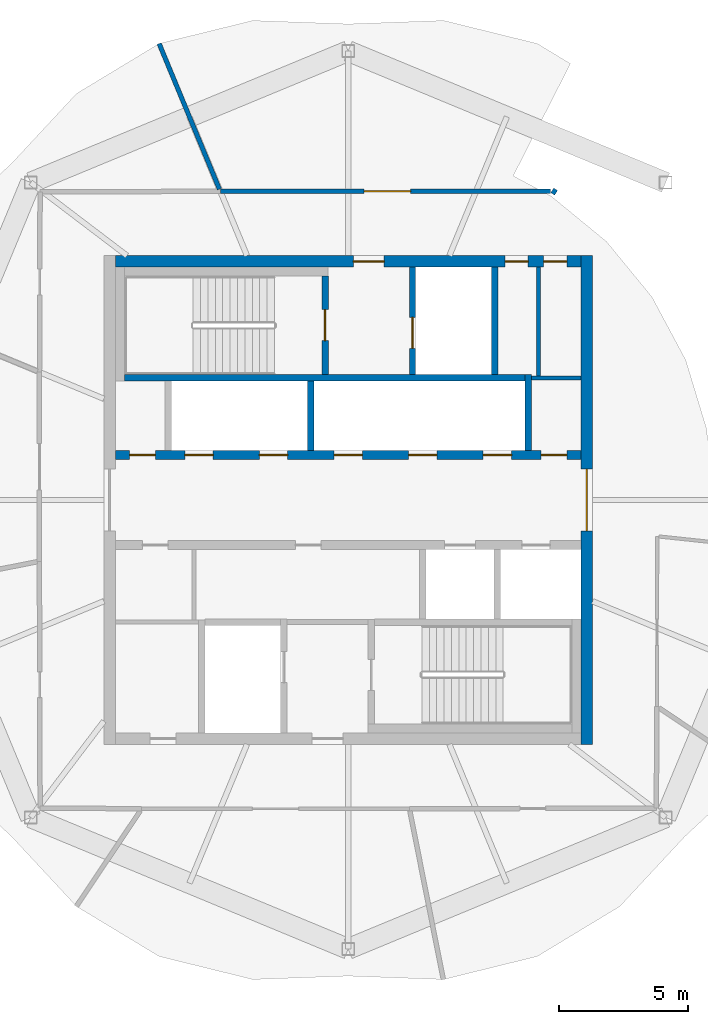
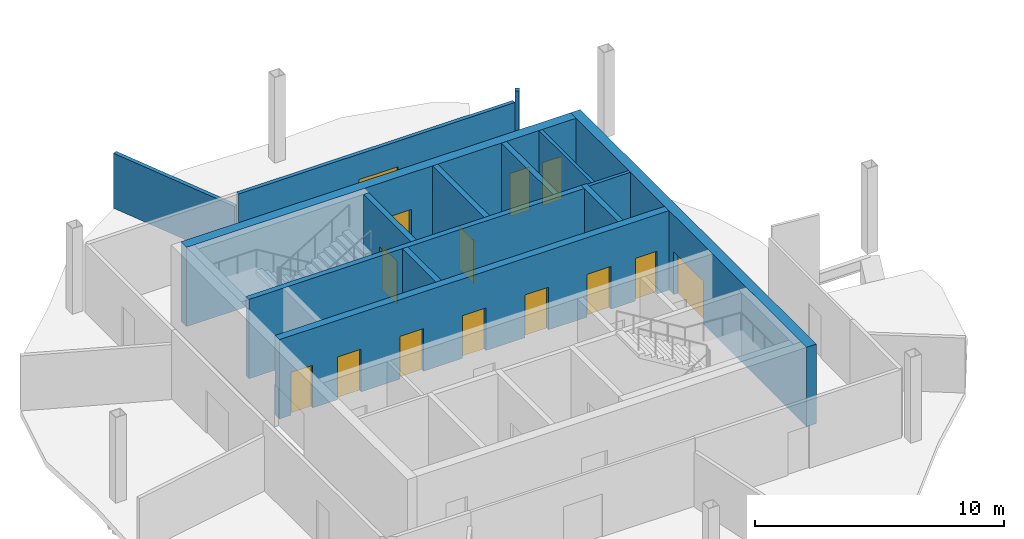
# One storey, part 6 of 11: 14 doors, 14 walls, 14 openings.
"""IFC4 building model written with IfcOpenShell, lengths in metres."""

from ifc_helpers import new_model, si_unit, direction, frame, frame_2d, origin, place, context, subcontext, project, spatial, rectangle, extrude, material, layer, layer_set, type_object, element, fill, save


model = new_model("IFC4")

# Units and contexts
model_context = context("Model", 3, precision=1e-05, world=origin(), true_north=direction((0.0, 1.0)))
body_context = subcontext(model_context, "Body", "Model", "MODEL_VIEW")
ifc_project = project(units=[si_unit("LENGTHUNIT", "METRE"), si_unit("AREAUNIT", "SQUARE_METRE"), si_unit("VOLUMEUNIT", "CUBIC_METRE"), si_unit("PLANEANGLEUNIT", "RADIAN"), si_unit("MASSUNIT", "GRAM", prefix="KILO")], contexts=[model_context])

# Site, building, storey
site_placement = place(None, origin())
site = spatial("IfcSite", under=ifc_project, at=site_placement, CompositionType="ELEMENT")
building_placement = place(site_placement, origin())
building = spatial("IfcBuilding", under=site, at=building_placement, Name="Ogive Gate Towers", CompositionType="ELEMENT")
storey_placement = place(building_placement, frame((0.0, 0.0, 281.39990234375)))
storey = spatial("IfcBuildingStorey", under=building, at=storey_placement, Name="L66", CompositionType="ELEMENT", Elevation=281.39990234375)

# Walls
ifc_material_1 = material(Name="Gypsum board acoustic partition")
ifc_layer_1 = layer(ifc_material_1, 0.175048828125)
ifc_layer_set_1 = layer_set([ifc_layer_1], Name="Acoustic partition 175")
wall_type_1 = type_object("IfcWallType", Name="Acoustic partition 175", PredefinedType="PARTITIONING", material=ifc_layer_set_1)
wall_1_placement = place(storey_placement, frame((-28.049560546875, 11.898681640625, 0.0), z_axis=(0.0, 0.0, 1.0), x_axis=(0.542178111101, 0.840263587122, 0.0)))
element("IfcWall", 1, at=wall_1_placement, inside=storey, type_object=wall_type_1, Name="Partition T1-L66-001", PredefinedType="PARTITIONING", context=body_context, shape_type="SweptSolid", body=[
    extrude(rectangle(XDim=0.217041015625, YDim=0.175048828125, at=frame_2d((0.1083984375, 0.0))), origin(), (0.0, 0.0, 1.0), 3.900146484375),
])
wall_2_placement = place(storey_placement, frame((-43.351318359375, 17.747802734375, 0.0), z_axis=(0.0, 0.0, 1.0), x_axis=(0.382683524544, -0.923879494329, 0.0)))
element("IfcWall", 2, at=wall_2_placement, inside=storey, type_object=wall_type_1, Name="Partition T1-L66-002", PredefinedType="PARTITIONING", context=body_context, shape_type="SweptSolid", body=[
    extrude(rectangle(XDim=6.131591796875, YDim=0.175048828125, at=frame_2d((3.06591796875, 0.0))), origin(), (0.0, 0.0, 1.0), 2.7001953125),
])

# Wall, opening, door
wall_3_placement = place(storey_placement, frame((-40.971435546875, 12.002197265625, 0.0), z_axis=(0.0, 0.0, 1.0), x_axis=(0.999999886992, 0.000475411653, 0.0)))
wall_3 = element("IfcWall", 3, at=wall_3_placement, inside=storey, type_object=wall_type_1, Name="Partition T1-L66-018", PredefinedType="PARTITIONING", context=body_context, shape_type="SweptSolid", body=[
    extrude(rectangle(XDim=12.83837890625, YDim=0.175048828125, at=frame_2d((6.419189453125, 0.0))), origin(), (0.0, 0.0, 1.0), 3.35009765625),
])
opening_1_placement = place(wall_3_placement, frame((5.595947265625, 0.0, 0.0)))
opening_1 = element("IfcOpeningElement", 4, at=opening_1_placement, cuts=wall_3, Name="Opening T1-L66-D07", PredefinedType="OPENING", context=body_context, shape_type="SweptSolid", body=[
    extrude(rectangle(XDim=1.800048828125, YDim=2.10009765625, at=frame_2d((0.89990234375, 1.050048828125))), frame((0.0, 0.09765625, 0.0), z_axis=(0.0, -1.0, 0.0), x_axis=(1.0, 0.0, 0.0)), (0.0, 0.0, 1.0), 0.195068359375),
])
ifc_material_2 = material(Name="Timber door", Category="wood")
door_type_1 = type_object("IfcDoorType", Name="Door pair 1800", OperationType="NOTDEFINED", PredefinedType="DOOR", material=ifc_material_2)
door_1_placement = place(opening_1_placement, origin())
door_1 = element("IfcDoor", 5, at=door_1_placement, inside=storey, type_object=door_type_1, Name="Door T1-L66-D07", OperationType="DOUBLE_DOOR_DOUBLE_SWING", OverallHeight=2.10009765625, OverallWidth=1.800048828125, PredefinedType="DOOR", context=body_context, shape_type="SweptSolid", body=[
    extrude(rectangle(XDim=1.800048828125, YDim=2.10009765625, at=frame_2d((0.89990234375, 1.050048828125))), frame((0.0, 0.02490234375, 0.0), z_axis=(0.0, -1.0, 0.0), x_axis=(1.0, 0.0, 0.0)), (0.0, 0.0, 1.0), 0.050048828125),
])
fill(opening_1, door_1)

# Wall, openings, doors
ifc_material_3 = material(Name="Concrete C60/75", Category="concrete")
ifc_layer_2 = layer(ifc_material_3, 0.449951171875)
ifc_layer_set_2 = layer_set([ifc_layer_2], Name="Core wall 450 mm")
wall_type_2 = type_object("IfcWallType", Name="Core wall 450 mm", PredefinedType="SHEAR", material=ifc_layer_set_2)
wall_4_placement = place(storey_placement, frame((-45.050048828125, 9.27490234375, 0.0), z_axis=(0.0, 0.0, 1.0), x_axis=(1.0, 0.0, 0.0)))
wall_4 = element("IfcWall", 6, at=wall_4_placement, inside=storey, type_object=wall_type_2, Name="T1 L66 Core wall 450 mm", PredefinedType="SHEAR", context=body_context, shape_type="SweptSolid", body=[
    extrude(rectangle(XDim=18.10009765625, YDim=0.449951171875, at=frame_2d((9.050048828125, 0.0))), origin(), (0.0, 0.0, 1.0), 3.900146484375),
])
opening_2_placement = place(wall_4_placement, frame((9.25, 0.0, 0.0)))
opening_2 = element("IfcOpeningElement", 7, at=opening_2_placement, cuts=wall_4, Name="Opening KD-T1-L66-18", PredefinedType="OPENING", context=body_context, shape_type="SweptSolid", body=[
    extrude(rectangle(XDim=1.199951171875, YDim=2.10009765625, at=frame_2d((0.60009765625, 1.050048828125))), frame((0.0, 0.23486328125, 0.0), z_axis=(0.0, -1.0, 0.0), x_axis=(1.0, 0.0, 0.0)), (0.0, 0.0, 1.0), 0.469970703125),
])
opening_3_placement = place(wall_4_placement, frame((15.14990234375, 0.0, 0.0)))
opening_3 = element("IfcOpeningElement", 8, at=opening_3_placement, cuts=wall_4, Name="Opening KD-T1-L66-20", PredefinedType="OPENING", context=body_context, shape_type="SweptSolid", body=[
    extrude(rectangle(XDim=0.89990234375, YDim=2.10009765625, at=frame_2d((0.449951171875, 1.050048828125))), frame((0.0, 0.23486328125, 0.0), z_axis=(0.0, -1.0, 0.0), x_axis=(1.0, 0.0, 0.0)), (0.0, 0.0, 1.0), 0.469970703125),
])
opening_4_placement = place(wall_4_placement, frame((16.64990234375, 0.0, 0.0)))
opening_4 = element("IfcOpeningElement", 9, at=opening_4_placement, cuts=wall_4, Name="Opening KD-T1-L66-21", PredefinedType="OPENING", context=body_context, shape_type="SweptSolid", body=[
    extrude(rectangle(XDim=0.89990234375, YDim=2.10009765625, at=frame_2d((0.449951171875, 1.050048828125))), frame((0.0, 0.23486328125, 0.0), z_axis=(0.0, -1.0, 0.0), x_axis=(1.0, 0.0, 0.0)), (0.0, 0.0, 1.0), 0.469970703125),
])
door_type_2 = type_object("IfcDoorType", Name="Core WC door 900 x 2100", OperationType="NOTDEFINED", PredefinedType="DOOR", material=ifc_material_2)
door_2_placement = place(opening_3_placement, origin())
door_2 = element("IfcDoor", 10, at=door_2_placement, inside=storey, type_object=door_type_2, Name="T1 L66 Core door", OperationType="SINGLE_SWING_LEFT", OverallHeight=2.10009765625, OverallWidth=0.89990234375, PredefinedType="DOOR", context=body_context, shape_type="SweptSolid", body=[
    extrude(rectangle(XDim=0.89990234375, YDim=2.10009765625, at=frame_2d((0.449951171875, 1.050048828125))), frame((0.0, 0.02490234375, 0.0), z_axis=(0.0, -1.0, 0.0), x_axis=(1.0, 0.0, 0.0)), (0.0, 0.0, 1.0), 0.050048828125),
])
fill(opening_3, door_2)
door_3_placement = place(opening_4_placement, origin())
door_3 = element("IfcDoor", 11, at=door_3_placement, inside=storey, type_object=door_type_2, Name="T1 L66 Core door", OperationType="SINGLE_SWING_RIGHT", OverallHeight=2.10009765625, OverallWidth=0.89990234375, PredefinedType="DOOR", context=body_context, shape_type="SweptSolid", body=[
    extrude(rectangle(XDim=0.89990234375, YDim=2.10009765625, at=frame_2d((0.449951171875, 1.050048828125))), frame((0.0, 0.02490234375, 0.0), z_axis=(0.0, -1.0, 0.0), x_axis=(1.0, 0.0, 0.0)), (0.0, 0.0, 1.0), 0.050048828125),
])
fill(opening_4, door_3)
ifc_material_4 = material(Name="Steel fire door", Category="steel")
door_type_3 = type_object("IfcDoorType", Name="Core door FD60S 1200 x 2100", OperationType="NOTDEFINED", PredefinedType="DOOR", material=ifc_material_4)
door_4_placement = place(opening_2_placement, origin())
door_4 = element("IfcDoor", 12, at=door_4_placement, inside=storey, type_object=door_type_3, Name="T1 L66 Fire-fighting lobby door", OperationType="SINGLE_SWING_LEFT", OverallHeight=2.10009765625, OverallWidth=1.199951171875, PredefinedType="DOOR", context=body_context, shape_type="SweptSolid", body=[
    extrude(rectangle(XDim=1.199951171875, YDim=2.10009765625, at=frame_2d((0.60009765625, 1.050048828125))), frame((0.0, 0.02490234375, 0.0), z_axis=(0.0, -1.0, 0.0), x_axis=(1.0, 0.0, 0.0)), (0.0, 0.0, 1.0), 0.050048828125),
])
fill(opening_2, door_4)

# Wall, opening, door
wall_5_placement = place(storey_placement, frame((-26.72509765625, -9.5, 0.0), z_axis=(0.0, 0.0, 1.0), x_axis=(0.0, 1.0, 0.0)))
wall_5 = element("IfcWall", 13, at=wall_5_placement, inside=storey, type_object=wall_type_2, Name="T1 L66 Core wall 450 mm", PredefinedType="SHEAR", context=body_context, shape_type="SweptSolid", body=[
    extrude(rectangle(XDim=19.0, YDim=0.449951171875, at=frame_2d((9.5, 0.0))), origin(), (0.0, 0.0, 1.0), 3.900146484375),
])
opening_5_placement = place(wall_5_placement, frame((8.300048828125, 0.0, 0.0)))
opening_5 = element("IfcOpeningElement", 14, at=opening_5_placement, cuts=wall_5, Name="Opening KD-T1-L66-02", PredefinedType="OPENING", context=body_context, shape_type="SweptSolid", body=[
    extrude(rectangle(XDim=2.39990234375, YDim=2.10009765625, at=frame_2d((1.199951171875, 1.050048828125))), frame((0.0, 0.23486328125, 0.0), z_axis=(0.0, -1.0, 0.0), x_axis=(1.0, 0.0, 0.0)), (0.0, 0.0, 1.0), 0.469970703125),
])
door_type_4 = type_object("IfcDoorType", Name="Core double door FD60S 2400 x 2100", OperationType="DOUBLE_DOOR_SINGLE_SWING", PredefinedType="DOOR", material=ifc_material_4)
door_5_placement = place(opening_5_placement, origin())
door_5 = element("IfcDoor", 15, at=door_5_placement, inside=storey, type_object=door_type_4, Name="T1 L66 Core door double", OperationType="DOUBLE_DOOR_SINGLE_SWING", OverallHeight=2.10009765625, OverallWidth=2.39990234375, PredefinedType="DOOR", context=body_context, shape_type="SweptSolid", body=[
    extrude(rectangle(XDim=2.39990234375, YDim=2.10009765625, at=frame_2d((1.199951171875, 1.050048828125))), frame((0.0, 0.02490234375, 0.0), z_axis=(0.0, -1.0, 0.0), x_axis=(1.0, 0.0, 0.0)), (0.0, 0.0, 1.0), 0.050048828125),
])
fill(opening_5, door_5)

# Walls
ifc_material_5 = material(Name="Gypsum board partition")
ifc_layer_3 = layer(ifc_material_5, 0.14990234375)
ifc_layer_set_3 = layer_set([ifc_layer_3], Name="Room partition 150 mm")
wall_type_3 = type_object("IfcWallType", Name="Room partition 150 mm", PredefinedType="PARTITIONING", material=ifc_layer_set_3)
wall_6_placement = place(storey_placement, frame((-28.875, 4.75, 0.0), z_axis=(0.0, 0.0, 1.0), x_axis=(1.0, 0.0, 0.0)))
element("IfcWall", 16, at=wall_6_placement, inside=storey, type_object=wall_type_3, Name="T1 L66 Room partition 150 mm", PredefinedType="PARTITIONING", context=body_context, shape_type="SweptSolid", body=[
    extrude(rectangle(XDim=1.925048828125, YDim=0.14990234375, at=frame_2d((0.96240234375, 0.0))), origin(), (0.0, 0.0, 1.0), 3.900146484375),
])
wall_7_placement = place(storey_placement, frame((-28.60009765625, 4.824951171875, 0.0), z_axis=(0.0, 0.0, 1.0), x_axis=(0.0, 1.0, 0.0)))
element("IfcWall", 17, at=wall_7_placement, inside=storey, type_object=wall_type_3, Name="T1 L66 Room partition 150 mm", PredefinedType="PARTITIONING", context=body_context, shape_type="SweptSolid", body=[
    extrude(rectangle(XDim=4.22509765625, YDim=0.14990234375, at=frame_2d((2.112548828125, 0.0))), origin(), (0.0, 0.0, 1.0), 3.900146484375),
])
ifc_layer_4 = layer(ifc_material_3, 0.25)
ifc_layer_set_4 = layer_set([ifc_layer_4], Name="Shaft wall 250 mm")
wall_type_4 = type_object("IfcWallType", Name="Shaft wall 250 mm", PredefinedType="SHEAR", material=ifc_layer_set_4)
wall_8_placement = place(storey_placement, frame((-44.699951171875, 4.75, 0.0), z_axis=(0.0, 0.0, 1.0), x_axis=(1.0, 0.0, 0.0)))
element("IfcWall", 18, at=wall_8_placement, inside=storey, type_object=wall_type_4, Name="T1 L66 Shaft wall 250 mm", PredefinedType="SHEAR", context=body_context, shape_type="SweptSolid", body=[
    extrude(rectangle(XDim=15.574951171875, YDim=0.25, at=frame_2d((7.78759765625, 0.0))), origin(), (0.0, 0.0, 1.0), 3.900146484375),
])
wall_9_placement = place(storey_placement, frame((-37.449951171875, 1.925048828125, 0.0), z_axis=(0.0, 0.0, 1.0), x_axis=(0.0, 1.0, 0.0)))
element("IfcWall", 19, at=wall_9_placement, inside=storey, type_object=wall_type_4, Name="T1 L66 Shaft wall 250 mm", PredefinedType="SHEAR", context=body_context, shape_type="SweptSolid", body=[
    extrude(rectangle(XDim=2.699951171875, YDim=0.25, at=frame_2d((1.35009765625, 0.0))), origin(), (0.0, 0.0, 1.0), 3.900146484375),
])

# Wall, opening, door
wall_10_placement = place(storey_placement, frame((-36.89990234375, 4.875, 0.0), z_axis=(0.0, 0.0, 1.0), x_axis=(0.0, 1.0, 0.0)))
wall_10 = element("IfcWall", 20, at=wall_10_placement, inside=storey, type_object=wall_type_4, Name="T1 L66 Shaft wall 250 mm", PredefinedType="SHEAR", context=body_context, shape_type="SweptSolid", body=[
    extrude(rectangle(XDim=3.824951171875, YDim=0.25, at=frame_2d((1.91259765625, 0.0))), origin(), (0.0, 0.0, 1.0), 3.900146484375),
])
opening_6_placement = place(wall_10_placement, frame((1.324951171875, 0.0, 0.0)))
opening_6 = element("IfcOpeningElement", 21, at=opening_6_placement, cuts=wall_10, Name="Opening KD-T1-L66-16", PredefinedType="OPENING", context=body_context, shape_type="SweptSolid", body=[
    extrude(rectangle(XDim=1.199951171875, YDim=2.10009765625, at=frame_2d((0.60009765625, 1.050048828125))), frame((0.0, 0.135009765625, 0.0), z_axis=(0.0, -1.0, 0.0), x_axis=(1.0, 0.0, 0.0)), (0.0, 0.0, 1.0), 0.27001953125),
])
door_6_placement = place(opening_6_placement, origin())
door_6 = element("IfcDoor", 22, at=door_6_placement, inside=storey, type_object=door_type_3, Name="T1 L66 Stair door", OperationType="SINGLE_SWING_LEFT", OverallHeight=2.10009765625, OverallWidth=1.199951171875, PredefinedType="DOOR", context=body_context, shape_type="SweptSolid", body=[
    extrude(rectangle(XDim=1.199951171875, YDim=2.10009765625, at=frame_2d((0.60009765625, 1.050048828125))), frame((0.0, 0.02490234375, 0.0), z_axis=(0.0, -1.0, 0.0), x_axis=(1.0, 0.0, 0.0)), (0.0, 0.0, 1.0), 0.050048828125),
])
fill(opening_6, door_6)

wall_11_placement = place(storey_placement, frame((-33.5, 4.875, 0.0), z_axis=(0.0, 0.0, 1.0), x_axis=(0.0, 1.0, 0.0)))
wall_11 = element("IfcWall", 23, at=wall_11_placement, inside=storey, type_object=wall_type_4, Name="T1 L66 Shaft wall 250 mm", PredefinedType="SHEAR", context=body_context, shape_type="SweptSolid", body=[
    extrude(rectangle(XDim=4.175048828125, YDim=0.25, at=frame_2d((2.08740234375, 0.0))), origin(), (0.0, 0.0, 1.0), 3.900146484375),
])
opening_7_placement = place(wall_11_placement, frame((1.02490234375, 0.0, 0.0)))
opening_7 = element("IfcOpeningElement", 24, at=opening_7_placement, cuts=wall_11, Name="Opening LD-T1-L66-12", PredefinedType="OPENING", context=body_context, shape_type="SweptSolid", body=[
    extrude(rectangle(XDim=1.199951171875, YDim=2.10009765625, at=frame_2d((0.60009765625, 1.050048828125))), frame((0.0, 0.135009765625, 0.0), z_axis=(0.0, -1.0, 0.0), x_axis=(1.0, 0.0, 0.0)), (0.0, 0.0, 1.0), 0.27001953125),
])
ifc_material_6 = material(Name="Stainless steel landing door", Category="steel")
door_type_5 = type_object("IfcDoorType", Name="Landing door 1200 x 2100", OperationType="SLIDING_TO_LEFT", PredefinedType="DOOR", material=ifc_material_6)
door_7_placement = place(opening_7_placement, origin())
door_7 = element("IfcDoor", 25, at=door_7_placement, inside=storey, type_object=door_type_5, Name="T1 L66 Lift landing door FF1", OperationType="SLIDING_TO_LEFT", OverallHeight=2.10009765625, OverallWidth=1.199951171875, PredefinedType="DOOR", context=body_context, shape_type="SweptSolid", body=[
    extrude(rectangle(XDim=1.199951171875, YDim=2.10009765625, at=frame_2d((0.60009765625, 1.050048828125))), frame((0.0, 0.02490234375, 0.0), z_axis=(0.0, -1.0, 0.0), x_axis=(1.0, 0.0, 0.0)), (0.0, 0.0, 1.0), 0.050048828125),
])
fill(opening_7, door_7)

# Walls
wall_12_placement = place(storey_placement, frame((-30.300048828125, 4.875, 0.0), z_axis=(0.0, 0.0, 1.0), x_axis=(0.0, 1.0, 0.0)))
element("IfcWall", 26, at=wall_12_placement, inside=storey, type_object=wall_type_4, Name="T1 L66 Shaft wall 250 mm", PredefinedType="SHEAR", context=body_context, shape_type="SweptSolid", body=[
    extrude(rectangle(XDim=4.175048828125, YDim=0.25, at=frame_2d((2.08740234375, 0.0))), origin(), (0.0, 0.0, 1.0), 3.900146484375),
])
wall_13_placement = place(storey_placement, frame((-29.0, 1.925048828125, 0.0), z_axis=(0.0, 0.0, 1.0), x_axis=(0.0, 1.0, 0.0)))
element("IfcWall", 27, at=wall_13_placement, inside=storey, type_object=wall_type_4, Name="T1 L66 Shaft wall 250 mm", PredefinedType="SHEAR", context=body_context, shape_type="SweptSolid", body=[
    extrude(rectangle(XDim=2.949951171875, YDim=0.25, at=frame_2d((1.47509765625, 0.0))), origin(), (0.0, 0.0, 1.0), 3.900146484375),
])

# Wall, openings, doors
ifc_layer_5 = layer(ifc_material_3, 0.35009765625)
ifc_layer_set_5 = layer_set([ifc_layer_5], Name="Spine wall 350 mm")
wall_type_5 = type_object("IfcWallType", Name="Spine wall 350 mm", PredefinedType="SHEAR", material=ifc_layer_set_5)
wall_14_placement = place(storey_placement, frame((-45.050048828125, 1.75, 0.0), z_axis=(0.0, 0.0, 1.0), x_axis=(1.0, 0.0, 0.0)))
wall_14 = element("IfcWall", 28, at=wall_14_placement, inside=storey, type_object=wall_type_5, Name="T1 L66 Spine wall 350 mm", PredefinedType="SHEAR", context=body_context, shape_type="SweptSolid", body=[
    extrude(rectangle(XDim=18.10009765625, YDim=0.35009765625, at=frame_2d((9.050048828125, 0.0))), origin(), (0.0, 0.0, 1.0), 3.900146484375),
])
opening_8_placement = place(wall_14_placement, frame((0.550048828125, 0.0, 0.0)))
opening_8 = element("IfcOpeningElement", 29, at=opening_8_placement, cuts=wall_14, Name="Opening KD-T1-L66-03", PredefinedType="OPENING", context=body_context, shape_type="SweptSolid", body=[
    extrude(rectangle(XDim=1.0, YDim=2.10009765625, at=frame_2d((0.5, 1.050048828125))), frame((0.0, 0.18505859375, 0.0), z_axis=(0.0, -1.0, 0.0), x_axis=(1.0, 0.0, 0.0)), (0.0, 0.0, 1.0), 0.3701171875),
])
opening_9_placement = place(wall_14_placement, frame((2.699951171875, 0.0, 0.0)))
opening_9 = element("IfcOpeningElement", 30, at=opening_9_placement, cuts=wall_14, Name="Opening LD-T1-L66-04", PredefinedType="OPENING", context=body_context, shape_type="SweptSolid", body=[
    extrude(rectangle(XDim=1.10009765625, YDim=2.10009765625, at=frame_2d((0.550048828125, 1.050048828125))), frame((0.0, 0.18505859375, 0.0), z_axis=(0.0, -1.0, 0.0), x_axis=(1.0, 0.0, 0.0)), (0.0, 0.0, 1.0), 0.3701171875),
])
opening_10_placement = place(wall_14_placement, frame((5.60009765625, 0.0, 0.0)))
opening_10 = element("IfcOpeningElement", 31, at=opening_10_placement, cuts=wall_14, Name="Opening LD-T1-L66-05", PredefinedType="OPENING", context=body_context, shape_type="SweptSolid", body=[
    extrude(rectangle(XDim=1.10009765625, YDim=2.10009765625, at=frame_2d((0.550048828125, 1.050048828125))), frame((0.0, 0.18505859375, 0.0), z_axis=(0.0, -1.0, 0.0), x_axis=(1.0, 0.0, 0.0)), (0.0, 0.0, 1.0), 0.3701171875),
])
opening_11_placement = place(wall_14_placement, frame((8.5, 0.0, 0.0)))
opening_11 = element("IfcOpeningElement", 32, at=opening_11_placement, cuts=wall_14, Name="Opening LD-T1-L66-06", PredefinedType="OPENING", context=body_context, shape_type="SweptSolid", body=[
    extrude(rectangle(XDim=1.10009765625, YDim=2.10009765625, at=frame_2d((0.550048828125, 1.050048828125))), frame((0.0, 0.18505859375, 0.0), z_axis=(0.0, -1.0, 0.0), x_axis=(1.0, 0.0, 0.0)), (0.0, 0.0, 1.0), 0.3701171875),
])
opening_12_placement = place(wall_14_placement, frame((11.39990234375, 0.0, 0.0)))
opening_12 = element("IfcOpeningElement", 33, at=opening_12_placement, cuts=wall_14, Name="Opening LD-T1-L66-07", PredefinedType="OPENING", context=body_context, shape_type="SweptSolid", body=[
    extrude(rectangle(XDim=1.10009765625, YDim=2.10009765625, at=frame_2d((0.550048828125, 1.050048828125))), frame((0.0, 0.18505859375, 0.0), z_axis=(0.0, -1.0, 0.0), x_axis=(1.0, 0.0, 0.0)), (0.0, 0.0, 1.0), 0.3701171875),
])
opening_13_placement = place(wall_14_placement, frame((14.300048828125, 0.0, 0.0)))
opening_13 = element("IfcOpeningElement", 34, at=opening_13_placement, cuts=wall_14, Name="Opening LD-T1-L66-08", PredefinedType="OPENING", context=body_context, shape_type="SweptSolid", body=[
    extrude(rectangle(XDim=1.10009765625, YDim=2.10009765625, at=frame_2d((0.550048828125, 1.050048828125))), frame((0.0, 0.18505859375, 0.0), z_axis=(0.0, -1.0, 0.0), x_axis=(1.0, 0.0, 0.0)), (0.0, 0.0, 1.0), 0.3701171875),
])
opening_14_placement = place(wall_14_placement, frame((16.550048828125, 0.0, 0.0)))
opening_14 = element("IfcOpeningElement", 35, at=opening_14_placement, cuts=wall_14, Name="Opening KD-T1-L66-09", PredefinedType="OPENING", context=body_context, shape_type="SweptSolid", body=[
    extrude(rectangle(XDim=1.0, YDim=2.10009765625, at=frame_2d((0.5, 1.050048828125))), frame((0.0, 0.18505859375, 0.0), z_axis=(0.0, -1.0, 0.0), x_axis=(1.0, 0.0, 0.0)), (0.0, 0.0, 1.0), 0.3701171875),
])
door_type_6 = type_object("IfcDoorType", Name="Core door FD60S 1000 x 2100", OperationType="NOTDEFINED", PredefinedType="DOOR", material=ifc_material_4)
door_8_placement = place(opening_8_placement, origin())
door_8 = element("IfcDoor", 36, at=door_8_placement, inside=storey, type_object=door_type_6, Name="T1 L66 Core door", OperationType="SINGLE_SWING_RIGHT", OverallHeight=2.10009765625, OverallWidth=1.0, PredefinedType="DOOR", context=body_context, shape_type="SweptSolid", body=[
    extrude(rectangle(XDim=1.0, YDim=2.10009765625, at=frame_2d((0.5, 1.050048828125))), frame((0.0, 0.02490234375, 0.0), z_axis=(0.0, -1.0, 0.0), x_axis=(1.0, 0.0, 0.0)), (0.0, 0.0, 1.0), 0.050048828125),
])
fill(opening_8, door_8)
door_9_placement = place(opening_14_placement, origin())
door_9 = element("IfcDoor", 37, at=door_9_placement, inside=storey, type_object=door_type_6, Name="T1 L66 Core door", OperationType="SINGLE_SWING_RIGHT", OverallHeight=2.10009765625, OverallWidth=1.0, PredefinedType="DOOR", context=body_context, shape_type="SweptSolid", body=[
    extrude(rectangle(XDim=1.0, YDim=2.10009765625, at=frame_2d((0.5, 1.050048828125))), frame((0.0, 0.02490234375, 0.0), z_axis=(0.0, -1.0, 0.0), x_axis=(1.0, 0.0, 0.0)), (0.0, 0.0, 1.0), 0.050048828125),
])
fill(opening_14, door_9)
door_type_7 = type_object("IfcDoorType", Name="Landing door 1100 x 2100", OperationType="SLIDING_TO_LEFT", PredefinedType="DOOR", material=ifc_material_6)
door_10_placement = place(opening_9_placement, origin())
door_10 = element("IfcDoor", 38, at=door_10_placement, inside=storey, type_object=door_type_7, Name="T1 L66 Lift landing door B1", OperationType="SLIDING_TO_LEFT", OverallHeight=2.10009765625, OverallWidth=1.10009765625, PredefinedType="DOOR", context=body_context, shape_type="SweptSolid", body=[
    extrude(rectangle(XDim=1.10009765625, YDim=2.10009765625, at=frame_2d((0.550048828125, 1.050048828125))), frame((0.0, 0.02490234375, 0.0), z_axis=(0.0, -1.0, 0.0), x_axis=(1.0, 0.0, 0.0)), (0.0, 0.0, 1.0), 0.050048828125),
])
fill(opening_9, door_10)
door_11_placement = place(opening_10_placement, origin())
door_11 = element("IfcDoor", 39, at=door_11_placement, inside=storey, type_object=door_type_7, Name="T1 L66 Lift landing door B2", OperationType="SLIDING_TO_LEFT", OverallHeight=2.10009765625, OverallWidth=1.10009765625, PredefinedType="DOOR", context=body_context, shape_type="SweptSolid", body=[
    extrude(rectangle(XDim=1.10009765625, YDim=2.10009765625, at=frame_2d((0.550048828125, 1.050048828125))), frame((0.0, 0.02490234375, 0.0), z_axis=(0.0, -1.0, 0.0), x_axis=(1.0, 0.0, 0.0)), (0.0, 0.0, 1.0), 0.050048828125),
])
fill(opening_10, door_11)
door_12_placement = place(opening_11_placement, origin())
door_12 = element("IfcDoor", 40, at=door_12_placement, inside=storey, type_object=door_type_7, Name="T1 L66 Lift landing door B3", OperationType="SLIDING_TO_LEFT", OverallHeight=2.10009765625, OverallWidth=1.10009765625, PredefinedType="DOOR", context=body_context, shape_type="SweptSolid", body=[
    extrude(rectangle(XDim=1.10009765625, YDim=2.10009765625, at=frame_2d((0.550048828125, 1.050048828125))), frame((0.0, 0.02490234375, 0.0), z_axis=(0.0, -1.0, 0.0), x_axis=(1.0, 0.0, 0.0)), (0.0, 0.0, 1.0), 0.050048828125),
])
fill(opening_11, door_12)
door_13_placement = place(opening_12_placement, origin())
door_13 = element("IfcDoor", 41, at=door_13_placement, inside=storey, type_object=door_type_7, Name="T1 L66 Lift landing door B4", OperationType="SLIDING_TO_LEFT", OverallHeight=2.10009765625, OverallWidth=1.10009765625, PredefinedType="DOOR", context=body_context, shape_type="SweptSolid", body=[
    extrude(rectangle(XDim=1.10009765625, YDim=2.10009765625, at=frame_2d((0.550048828125, 1.050048828125))), frame((0.0, 0.02490234375, 0.0), z_axis=(0.0, -1.0, 0.0), x_axis=(1.0, 0.0, 0.0)), (0.0, 0.0, 1.0), 0.050048828125),
])
fill(opening_12, door_13)
door_14_placement = place(opening_13_placement, origin())
door_14 = element("IfcDoor", 42, at=door_14_placement, inside=storey, type_object=door_type_7, Name="T1 L66 Lift landing door B5", OperationType="SLIDING_TO_LEFT", OverallHeight=2.10009765625, OverallWidth=1.10009765625, PredefinedType="DOOR", context=body_context, shape_type="SweptSolid", body=[
    extrude(rectangle(XDim=1.10009765625, YDim=2.10009765625, at=frame_2d((0.550048828125, 1.050048828125))), frame((0.0, 0.02490234375, 0.0), z_axis=(0.0, -1.0, 0.0), x_axis=(1.0, 0.0, 0.0)), (0.0, 0.0, 1.0), 0.050048828125),
])
fill(opening_13, door_14)

save(model, "model.ifc")
